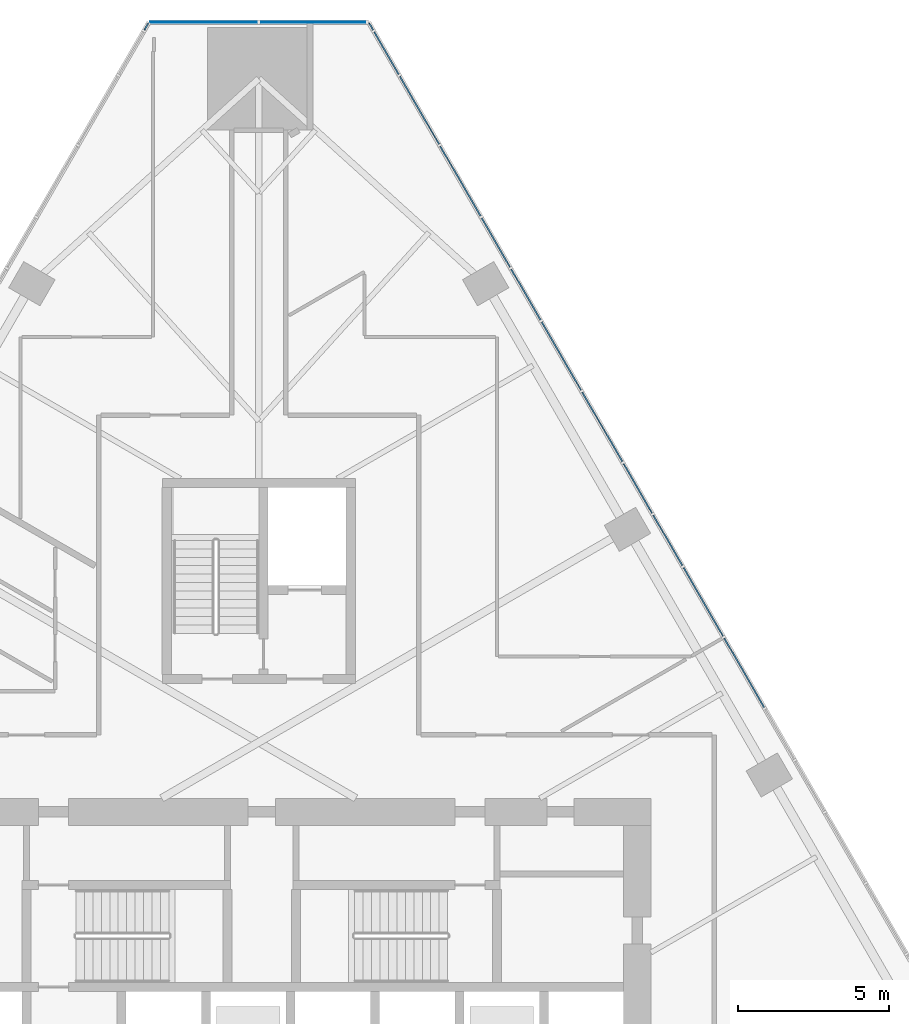
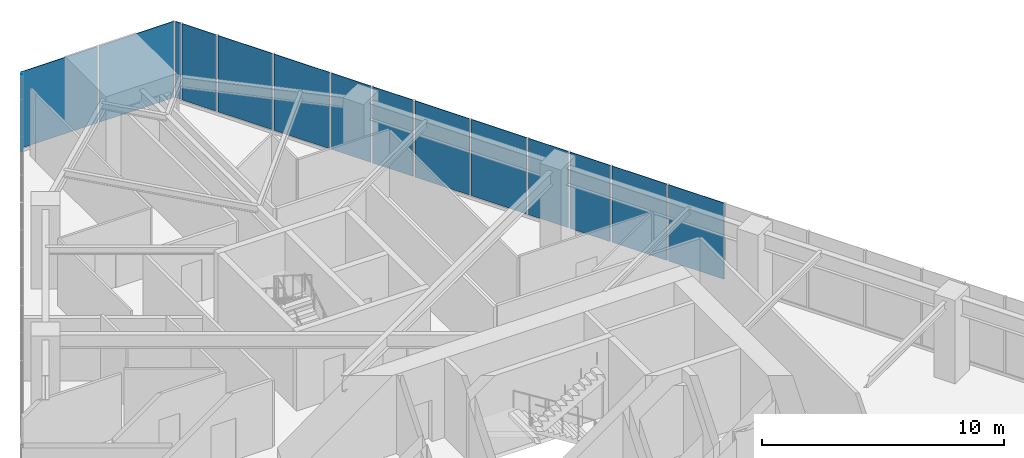
# One storey, part 15 of 21: 15 plates, 3 elements without a shape of their own.
"""IFC4 building model written with IfcOpenShell, lengths in metres."""

import ifcopenshell
import ifcopenshell.guid

model = None  # the IFC model being written
_history = None  # IfcOwnerHistory: only IFC2X3 demands one
_inside = {}  # id of a spatial element -> (the spatial element, [elements in it])
_under = {}  # id of a project, library or spatial element -> (it, [spatial elements below it])
_declared = {}  # id of a project -> (the project, [libraries it declares])
_typed = {}  # id of a type object -> (the type object, [elements of that type])
_made_of = {}  # id of a material, layer set ... -> (it, [elements and type objects made of it])


def new_model(schema):
    """Start an empty IFC model of exactly this schema.

    Asked for "IFC4X3", IfcOpenShell would pick the latest addendum, in which some entities
    have other attributes; the version numbers below select the first issue.
    IFC2X3 requires an IfcOwnerHistory on every rooted entity: one is made here for all.
    """
    global model, _history
    if schema == "IFC4X3":
        model = ifcopenshell.file(schema_version=(4, 3, 0, 0))
    else:
        model = ifcopenshell.file(schema=schema)
    _inside.clear()
    _under.clear()
    _declared.clear()
    _typed.clear()
    _made_of.clear()
    _history = None
    if model.schema == "IFC2X3":
        org = make("IfcOrganization", Name="unknown")
        user = make(
            "IfcPersonAndOrganization",
            ThePerson=make("IfcPerson", FamilyName="unknown"),
            TheOrganization=org,
        )
        app = make(
            "IfcApplication",
            ApplicationDeveloper=org,
            Version="unknown",
            ApplicationFullName="unknown",
            ApplicationIdentifier="unknown",
        )
        _history = make(
            "IfcOwnerHistory",
            OwningUser=user,
            OwningApplication=app,
            ChangeAction="ADDED",
            CreationDate=0,
        )
    return model


def make(cls, **values):
    """One entity of the class cls with the attributes given. An attribute that is None is left unset."""
    return model.create_entity(
        cls, **{name: value for name, value in values.items() if value is not None}
    )


def rooted(cls, **values):
    """An entity with a GlobalId (a new one), such as an element, a storey or a relation."""
    return make(cls, GlobalId=ifcopenshell.guid.new(), OwnerHistory=_history, **values)


def si_unit(unit_type, name, prefix=None):
    """IfcSIUnit, for example si_unit("LENGTHUNIT", "METRE", prefix="MILLI")."""
    return make("IfcSIUnit", UnitType=unit_type, Prefix=prefix, Name=name)


def assignment(units):
    """IfcUnitAssignment: the units of a project."""
    return None if units is None else make("IfcUnitAssignment", Units=units)


def point(xyz):
    """IfcCartesianPoint."""
    return None if xyz is None else make("IfcCartesianPoint", Coordinates=xyz)


def direction(xyz):
    """IfcDirection."""
    return None if xyz is None else make("IfcDirection", DirectionRatios=xyz)


def frame(location, z_axis=None, x_axis=None):
    """IfcAxis2Placement3D, a coordinate frame: its origin and axes. An axis left out is left unset."""
    return make(
        "IfcAxis2Placement3D",
        Location=point(location),
        Axis=direction(z_axis),
        RefDirection=direction(x_axis),
    )


def origin():
    """The frame at (0, 0, 0) with its axes left unset."""
    return frame((0.0, 0.0, 0.0))


def place(relative_to, where):
    """IfcLocalPlacement: puts the frame where relative to a parent placement (None: the world)."""
    return make(
        "IfcLocalPlacement", PlacementRelTo=relative_to, RelativePlacement=where
    )


def context(
    kind, dimensions, precision=None, world=None, true_north=None, identifier=None
):
    """IfcGeometricRepresentationContext, for example the 3D "Model" context."""
    return make(
        "IfcGeometricRepresentationContext",
        ContextIdentifier=identifier,
        ContextType=kind,
        CoordinateSpaceDimension=dimensions,
        Precision=precision,
        WorldCoordinateSystem=world,
        TrueNorth=true_north,
    )


def subcontext(parent, identifier, kind, view, scale=None):
    """IfcGeometricRepresentationSubContext, for example "Body" below "Model"."""
    return make(
        "IfcGeometricRepresentationSubContext",
        ContextIdentifier=identifier,
        ContextType=kind,
        ParentContext=parent,
        TargetScale=scale,
        TargetView=view,
    )


def project(units=None, contexts=None):
    """IfcProject with its units and contexts."""
    return rooted(
        "IfcProject",
        Name="project",
        RepresentationContexts=contexts,
        UnitsInContext=assignment(units),
    )


def spatial(cls, under=None, at=None, **own):
    """A site, building, storey or space (cls), placed at a placement, below another one or the project."""
    s = rooted(cls, ObjectPlacement=at, **own)
    if under is not None:
        _under.setdefault(under.id(), (under, []))[1].append(s)
    return s


def polyline(points):
    """IfcPolyline through the points."""
    return make("IfcPolyline", Points=[point(p) for p in points])


def outline(outer, holes=None, kind="AREA"):
    """IfcArbitraryClosedProfileDef: a profile drawn as a closed curve; with holes, ...WithVoids."""
    if holes is None:
        return make("IfcArbitraryClosedProfileDef", ProfileType=kind, OuterCurve=outer)
    return make(
        "IfcArbitraryProfileDefWithVoids",
        ProfileType=kind,
        OuterCurve=outer,
        InnerCurves=holes,
    )


def extrude(swept, where, along, depth):
    """IfcExtrudedAreaSolid: the profile swept, set in the frame where, extruded along a direction by depth."""
    return make(
        "IfcExtrudedAreaSolid",
        SweptArea=swept,
        Position=where,
        ExtrudedDirection=direction(along),
        Depth=depth,
    )


def shape(context_of_items, identifier, shape_type, items):
    """IfcShapeRepresentation: the items that make up one representation, for example the "Body"."""
    return make(
        "IfcShapeRepresentation",
        ContextOfItems=context_of_items,
        RepresentationIdentifier=identifier,
        RepresentationType=shape_type,
        Items=items,
    )


def material(Name=None, Category=None):
    """IfcMaterial."""
    return make("IfcMaterial", Name=Name, Category=Category)


def layer(
    of_material, thickness, ventilated=None, Name=None, Category=None, Priority=None
):
    """IfcMaterialLayer: one layer of a wall or slab, of a material (None: an air gap)."""
    return make(
        "IfcMaterialLayer",
        Material=of_material,
        LayerThickness=thickness,
        IsVentilated=ventilated,
        Name=Name,
        Category=Category,
        Priority=Priority,
    )


def layer_set(layers, Name=None):
    """IfcMaterialLayerSet."""
    return make("IfcMaterialLayerSet", MaterialLayers=layers, LayerSetName=Name)


def made_of(thing, what):
    """Note that an element or type object is made of a material, layer set ...; save() writes the relation."""
    if what is not None:
        _made_of.setdefault(what.id(), (what, []))[1].append(thing)
    return thing


def type_object(cls, material=None, **own):
    """A type object (cls), such as IfcWallType, which elements share."""
    return made_of(rooted(cls, **own), material)


def element(
    cls,
    number,
    at=None,
    inside=None,
    cuts=None,
    type_object=None,
    material=None,
    context=None,
    identifier="Body",
    shape_type=None,
    held_by="IfcProductDefinitionShape",
    body=None,
    shapes=None,
    **own,
):
    """One element of the class cls, such as IfcWall. Its Tag is "e" and its number.

    at: its placement. inside: the storey or other place that contains it. cuts: it is an
    opening in that element (IfcRelVoidsElement). A single representation is given by context,
    identifier, shape_type and body (its items); several are given by shapes. held_by: the class
    of the entity that holds the representations. save() writes the other relations.
    """
    e = rooted(cls, Tag="e%d" % number, ObjectPlacement=at, **own)
    if body is not None:
        shapes = [shape(context, identifier, shape_type, body)]
    if shapes is not None:
        e.Representation = make(held_by, Representations=shapes)
    if inside is not None:
        _inside.setdefault(inside.id(), (inside, []))[1].append(e)
    if cuts is not None:
        rooted(
            "IfcRelVoidsElement", RelatingBuildingElement=cuts, RelatedOpeningElement=e
        )
    if type_object is not None:
        _typed.setdefault(type_object.id(), (type_object, []))[1].append(e)
    return made_of(e, material)


def aggregate(whole, parts):
    """IfcRelAggregates: a whole, such as a stair, and the parts it consists of."""
    return rooted("IfcRelAggregates", RelatingObject=whole, RelatedObjects=parts)


def save(model, path):
    """Write the relations noted so far, then the file.

    IfcRelAggregates (storeys below a building ...), IfcRelContainedInSpatialStructure (elements
    in a storey), IfcRelDefinesByType, IfcRelAssociatesMaterial and IfcRelDeclares: one each for
    every whole, place, type object, material and project.
    """
    for whole, parts in _under.values():
        aggregate(whole, parts)
    for where, things in _inside.values():
        rooted(
            "IfcRelContainedInSpatialStructure",
            RelatedElements=things,
            RelatingStructure=where,
        )
    for kind, things in _typed.values():
        rooted("IfcRelDefinesByType", RelatedObjects=things, RelatingType=kind)
    for what, things in _made_of.values():
        rooted("IfcRelAssociatesMaterial", RelatedObjects=things, RelatingMaterial=what)
    for by, libraries in _declared.values():
        rooted("IfcRelDeclares", RelatingContext=by, RelatedDefinitions=libraries)
    model.write(path)


model = new_model("IFC4")

# Units and contexts
model_context = context("Model", 3, precision=1e-05, world=origin(), true_north=direction((0.0, 1.0)))
body_context = subcontext(model_context, "Body", "Model", "MODEL_VIEW")
ifc_project = project(units=[si_unit("LENGTHUNIT", "METRE"), si_unit("AREAUNIT", "SQUARE_METRE"), si_unit("VOLUMEUNIT", "CUBIC_METRE"), si_unit("PLANEANGLEUNIT", "RADIAN"), si_unit("MASSUNIT", "GRAM", prefix="KILO")], contexts=[model_context])

# Site, building, storey
site_placement = place(None, origin())
site = spatial("IfcSite", under=ifc_project, at=site_placement, CompositionType="ELEMENT")
building_placement = place(site_placement, origin())
building = spatial("IfcBuilding", under=site, at=building_placement, Name="Firuza Gate Tower and Library", CompositionType="ELEMENT")
storey_placement = place(building_placement, frame((0.0, 0.0, 94.60009765625)))
storey = spatial("IfcBuildingStorey", under=building, at=storey_placement, Name="L21", CompositionType="ELEMENT", Elevation=94.60009765625)

# Curtain wall, plates
ifc_material_1 = material(Name="Aluminium 6063-T6", Category="aluminium")
ifc_layer_1 = layer(ifc_material_1, 0.14990234375)
ifc_layer_set_1 = layer_set([ifc_layer_1], Name="Corner curtain wall, chamfers")
curtain_wall_type_1 = type_object("IfcCurtainWallType", Name="Corner curtain wall, chamfers", PredefinedType="NOTDEFINED", material=ifc_layer_set_1)
placement = place(storey_placement, origin())
curtain_wall_1 = element("IfcCurtainWall", 1, at=placement, inside=storey, type_object=curtain_wall_type_1, Name="CW4 L21 N corner", PredefinedType="NOTDEFINED")
ifc_material_2 = material(Name="Fritted glass", Category="glass")
ifc_layer_2 = layer(ifc_material_2, 0.030029296875)
ifc_layer_set_2 = layer_set([ifc_layer_2], Name="Fritted glass unit, corners")
plate_type_1 = type_object("IfcPlateType", Name="Fritted glass unit, corners", PredefinedType="CURTAIN_PANEL", material=ifc_layer_set_2)
plate_1_placement = place(storey_placement, frame((78.603271484375, 109.74267578125, 0.14990234375), z_axis=(0.0, 1.0, 0.0), x_axis=(-1.0, 0.0, 0.0)))
plate_1 = element("IfcPlate", 2, at=plate_1_placement, type_object=plate_type_1, Name="Glass unit", PredefinedType="CURTAIN_PANEL", context=body_context, shape_type="SweptSolid", body=[
    extrude(outline(polyline([(0.0, 0.0), (3.563232421875, 0.0), (3.563232421875, 3.85009765625), (0.0, 3.85009765625), (0.0, 0.0)])), origin(), (0.0, 0.0, -1.0), 0.030029296875),
])
plate_2_placement = place(storey_placement, frame((74.9599609375, 109.74267578125, 0.14990234375), z_axis=(0.0, 1.0, 0.0), x_axis=(-1.0, 0.0, 0.0)))
plate_2 = element("IfcPlate", 3, at=plate_2_placement, type_object=plate_type_1, Name="Glass unit", PredefinedType="CURTAIN_PANEL", context=body_context, shape_type="SweptSolid", body=[
    extrude(outline(polyline([(0.0, 0.0), (3.563232421875, 0.0), (3.563232421875, 3.85009765625), (0.0, 3.85009765625), (0.0, 0.0)])), origin(), (0.0, 0.0, -1.0), 0.030029296875),
])
aggregate(curtain_wall_1, [plate_1, plate_2])

ifc_material_3 = material(Name="Aluminium 6063-T6", Category="aluminium")
ifc_layer_3 = layer(ifc_material_3, 0.14990234375)
ifc_layer_set_3 = layer_set([ifc_layer_3], Name="Unitised curtain wall, offices")
curtain_wall_type_2 = type_object("IfcCurtainWallType", Name="Unitised curtain wall, offices", PredefinedType="NOTDEFINED", material=ifc_layer_set_3)
curtain_wall_2 = element("IfcCurtainWall", 4, at=placement, inside=storey, type_object=curtain_wall_type_2, Name="CW1 L21 E face", PredefinedType="NOTDEFINED")
ifc_material_4 = material(Name="Fritted glass", Category="glass")
ifc_layer_4 = layer(ifc_material_4, 0.030029296875)
ifc_layer_set_4 = layer_set([ifc_layer_4], Name="Fritted glass unit, offices")
plate_type_2 = type_object("IfcPlateType", Name="Fritted glass unit, offices", PredefinedType="CURTAIN_PANEL", material=ifc_layer_set_4)
plate_3_placement = place(storey_placement, frame((89.0556640625, 91.722900390625, 0.14990234375), z_axis=(0.866008007854, 0.500030129425, 0.0), x_axis=(-0.500030129425, 0.866008007854, 0.0)))
plate_3 = element("IfcPlate", 5, at=plate_3_placement, type_object=plate_type_2, Name="Glass unit", PredefinedType="CURTAIN_PANEL", context=body_context, shape_type="SweptSolid", body=[
    extrude(outline(polyline([(0.0, 0.0), (1.923223952486553, 0.0), (1.923223952486553, 3.85009765625), (0.0, 3.85009765625), (0.0, 0.0)])), origin(), (0.0, 0.0, -1.0), 0.030029296875),
])
plate_4_placement = place(storey_placement, frame((88.05419921875, 93.457763671875, 0.14990234375), z_axis=(0.865981671769, 0.500075738423, 0.0), x_axis=(-0.500075738423, 0.865981671769, 0.0)))
plate_4 = element("IfcPlate", 6, at=plate_4_placement, type_object=plate_type_2, Name="Glass unit", PredefinedType="CURTAIN_PANEL", context=body_context, shape_type="SweptSolid", body=[
    extrude(outline(polyline([(0.0, 0.0), (1.8942443158448448, 0.0), (1.8942443158448448, 3.85009765625), (0.0, 3.85009765625), (0.0, 0.0)])), origin(), (0.0, 0.0, -1.0), 0.030029296875),
])
plate_5_placement = place(storey_placement, frame((84.35400390625, 99.866455078125, 0.14990234375), z_axis=(0.866032409438, 0.499987865656, 0.0), x_axis=(-0.499987865656, 0.866032409438, 0.0)))
plate_5 = element("IfcPlate", 7, at=plate_5_placement, type_object=plate_type_2, Name="Glass unit", PredefinedType="CURTAIN_PANEL", context=body_context, shape_type="SweptSolid", body=[
    extrude(outline(polyline([(0.0, 0.0), (1.9375470217259445, 0.0), (1.9375470217259445, 3.85009765625), (0.0, 3.85009765625), (0.0, 0.0)])), origin(), (0.0, 0.0, -1.0), 0.030029296875),
])
plate_6_placement = place(storey_placement, frame((83.34521484375, 101.61376953125, 0.14990234375), z_axis=(0.866012558475, 0.500022248069, 0.0), x_axis=(-0.500022248069, 0.866012558475, 0.0)))
plate_6 = element("IfcPlate", 8, at=plate_6_placement, type_object=plate_type_2, Name="Glass unit", PredefinedType="CURTAIN_PANEL", context=body_context, shape_type="SweptSolid", body=[
    extrude(outline(polyline([(0.0, 0.0), (1.879799168695176, 0.0), (1.879799168695176, 3.85009765625), (0.0, 3.85009765625), (0.0, 0.0)])), origin(), (0.0, 0.0, -1.0), 0.030029296875),
])
plate_7_placement = place(storey_placement, frame((79.65234375, 108.010009765625, 0.14990234375), z_axis=(0.866010015463, 0.500026652407, 0.0), x_axis=(-0.500026652407, 0.866010015463, 0.0)))
plate_7 = element("IfcPlate", 9, at=plate_7_placement, type_object=plate_type_2, Name="Glass unit", PredefinedType="CURTAIN_PANEL", context=body_context, shape_type="SweptSolid", body=[
    extrude(outline(polyline([(0.0, 0.0), (1.6210073425060785, 0.0), (1.6210073425060785, 3.85009765625), (0.0, 3.85009765625), (0.0, 0.0)])), origin(), (0.0, 0.0, -1.0), 0.030029296875),
])
ifc_material_5 = material(Name="Glazed ceramic tile")
ifc_layer_5 = layer(ifc_material_5, 0.030029296875)
ifc_layer_set_5 = layer_set([ifc_layer_5], Name="Opaque ceramic panel, offices")
plate_type_3 = type_object("IfcPlateType", Name="Opaque ceramic panel, offices", PredefinedType="CURTAIN_PANEL", material=ifc_layer_set_5)
plate_8_placement = place(storey_placement, frame((91.7685546875, 87.02392578125, 0.14990234375), z_axis=(0.86602080971, 0.500007957085, 0.0), x_axis=(-0.500007957085, 0.86602080971, 0.0)))
plate_8 = element("IfcPlate", 10, at=plate_8_placement, type_object=plate_type_3, Name="Opaque ceramic panel", PredefinedType="CURTAIN_PANEL", context=body_context, shape_type="SweptSolid", body=[
    extrude(outline(polyline([(0.0, 0.0), (2.6400947038324523, 0.0), (2.6400947038324523, 3.850097656250001), (0.0, 3.850097656250001), (0.0, 0.0)])), origin(), (0.0, 0.0, -1.0), 0.030029296875),
])
plate_9_placement = place(storey_placement, frame((90.408447265625, 89.379638671875, 0.14990234375), z_axis=(0.866043135266, 0.499969286915, 0.0), x_axis=(-0.499969286915, 0.866043135266, 0.0)))
plate_9 = element("IfcPlate", 11, at=plate_9_placement, type_object=plate_type_3, Name="Opaque ceramic panel", PredefinedType="CURTAIN_PANEL", context=body_context, shape_type="SweptSolid", body=[
    extrude(outline(polyline([(0.0, 0.0), (2.625649564846515, 0.0), (2.625649564846515, 3.85009765625), (0.0, 3.85009765625), (0.0, 0.0)])), origin(), (0.0, 0.0, -1.0), 0.030029296875),
])
plate_10_placement = place(storey_placement, frame((87.06689453125, 95.16748046875, 0.14990234375), z_axis=(0.866061540533, 0.499937404092, 0.0), x_axis=(-0.499937404092, 0.866061540533, 0.0)))
plate_10 = element("IfcPlate", 12, at=plate_10_placement, type_object=plate_type_3, Name="Opaque ceramic panel", PredefinedType="CURTAIN_PANEL", context=body_context, shape_type="SweptSolid", body=[
    extrude(outline(polyline([(0.0, 0.0), (2.6546292128515354, 0.0), (2.6546292128515354, 3.85009765625), (0.0, 3.85009765625), (0.0, 0.0)])), origin(), (0.0, 0.0, -1.0), 0.030029296875),
])
plate_11_placement = place(storey_placement, frame((85.69970703125, 97.53564453125, 0.14990234375), z_axis=(0.866025223369, 0.500000312488, 0.0), x_axis=(-0.500000312488, 0.866025223369, 0.0)))
plate_11 = element("IfcPlate", 13, at=plate_11_placement, type_object=plate_type_3, Name="Opaque ceramic panel", PredefinedType="CURTAIN_PANEL", context=body_context, shape_type="SweptSolid", body=[
    extrude(outline(polyline([(0.0, 0.0), (2.61132649298241, 0.0), (2.61132649298241, 3.85009765625), (0.0, 3.85009765625), (0.0, 0.0)])), origin(), (0.0, 0.0, -1.0), 0.030029296875),
])
plate_12_placement = place(storey_placement, frame((82.365234375, 103.31103515625, 0.14990234375), z_axis=(0.866039359181, 0.499975827765, 0.0), x_axis=(-0.499975827765, 0.866039359181, 0.0)))
plate_12 = element("IfcPlate", 14, at=plate_12_placement, type_object=plate_type_3, Name="Opaque ceramic panel", PredefinedType="CURTAIN_PANEL", context=body_context, shape_type="SweptSolid", body=[
    extrude(outline(polyline([(0.0, 0.0), (2.6690743474828027, 0.0), (2.6690743474828027, 3.85009765625), (0.0, 3.85009765625), (0.0, 0.0)])), origin(), (0.0, 0.0, -1.0), 0.030029296875),
])
plate_13_placement = place(storey_placement, frame((80.99072265625, 105.69189453125, 0.14990234375), z_axis=(0.866024317969, 0.500001880682, 0.0), x_axis=(-0.500001880682, 0.866024317969, 0.0)))
plate_13 = element("IfcPlate", 15, at=plate_13_placement, type_object=plate_type_3, Name="Opaque ceramic panel", PredefinedType="CURTAIN_PANEL", context=body_context, shape_type="SweptSolid", body=[
    extrude(outline(polyline([(0.0, 0.0), (2.596669920479381, 0.0), (2.596669920479381, 3.85009765625), (0.0, 3.85009765625), (0.0, 0.0)])), origin(), (0.0, 0.0, -1.0), 0.030029296875),
])
plate_14_placement = place(storey_placement, frame((78.802001953125, 109.48291015625, 0.14990234375), z_axis=(0.865780878536, 0.500423291185, 0.0), x_axis=(-0.500423291185, 0.865780878536, 0.0)))
plate_14 = element("IfcPlate", 16, at=plate_14_placement, type_object=plate_type_3, Name="Opaque ceramic panel", PredefinedType="CURTAIN_PANEL", context=body_context, shape_type="SweptSolid", body=[
    extrude(outline(polyline([(0.0, 0.0), (0.2512521381192305, 0.0), (0.2512521381192305, 3.85009765625), (0.0, 3.85009765625), (0.0, 0.0)])), origin(), (0.0, 0.0, -1.0), 0.030029296875),
])
aggregate(curtain_wall_2, [plate_8, plate_9, plate_3, plate_4, plate_10, plate_11, plate_5, plate_6, plate_12, plate_13, plate_7, plate_14])

# Curtain wall, plate
curtain_wall_3 = element("IfcCurtainWall", 17, at=placement, inside=storey, type_object=curtain_wall_type_2, Name="CW1 L21 W face", PredefinedType="NOTDEFINED")
plate_15_placement = place(storey_placement, frame((71.32373046875, 109.700439453125, 0.14990234375), z_axis=(-0.865780878536, 0.500423291185, 0.0), x_axis=(-0.500423291185, -0.865780878536, 0.0)))
plate_15 = element("IfcPlate", 18, at=plate_15_placement, type_object=plate_type_3, Name="Opaque ceramic panel", PredefinedType="CURTAIN_PANEL", context=body_context, shape_type="SweptSolid", body=[
    extrude(outline(polyline([(0.0, 0.0), (0.2512521381192305, 0.0), (0.2512521381192305, 3.85009765625), (0.0, 3.85009765625), (0.0, 0.0)])), origin(), (0.0, 0.0, -1.0), 0.030029296875),
])
aggregate(curtain_wall_3, [plate_15])

save(model, "model.ifc")
